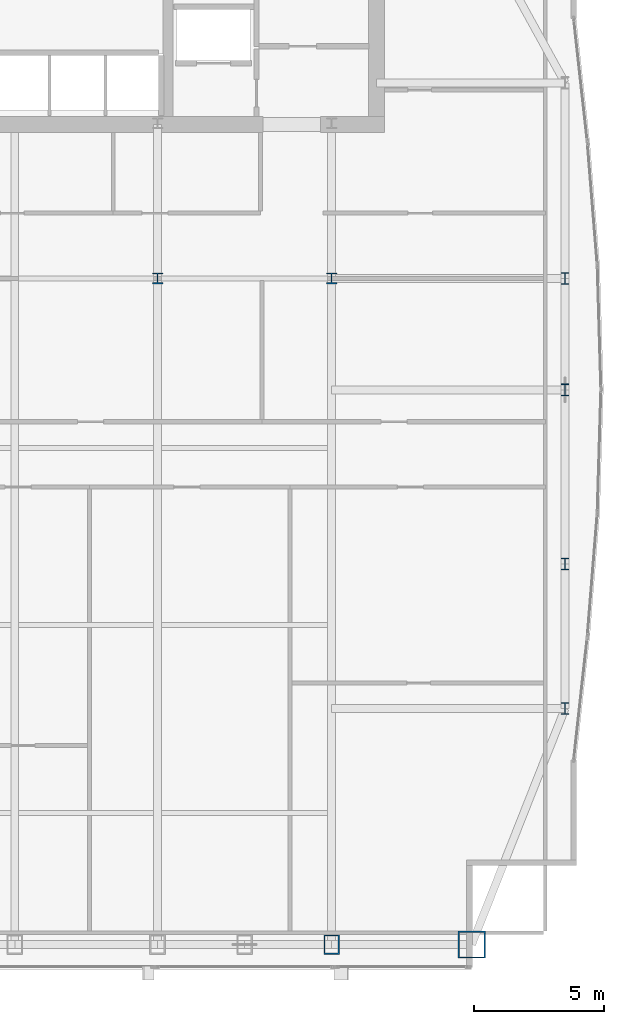
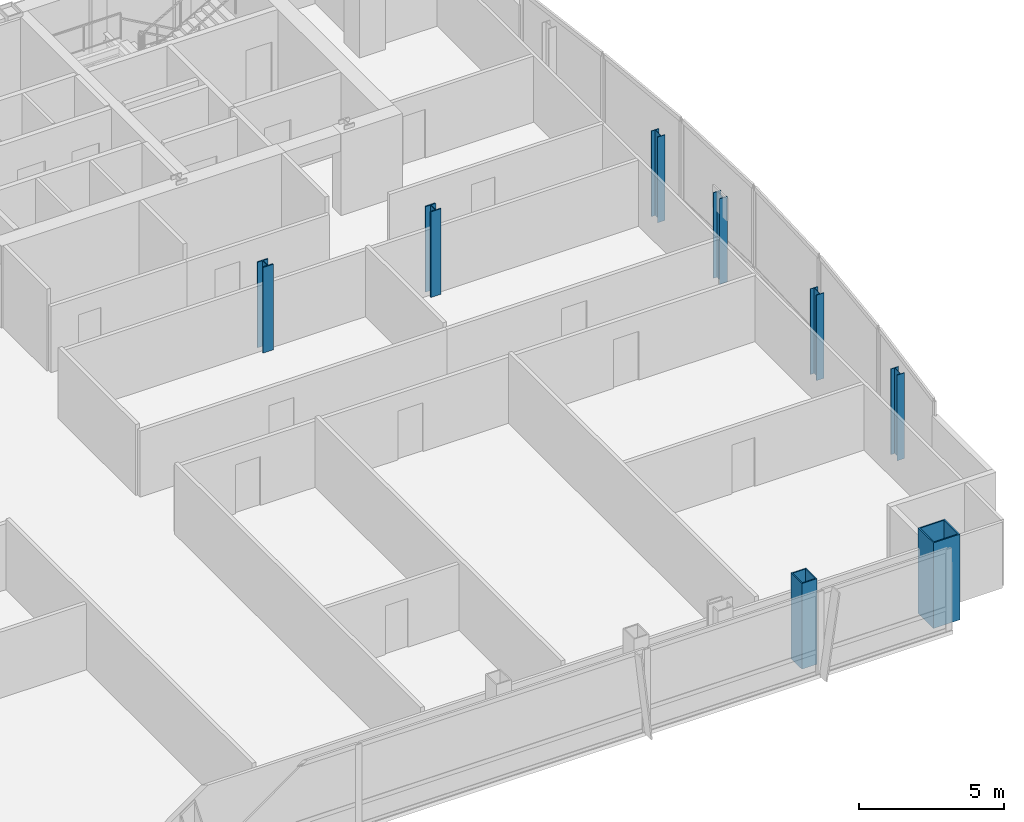
# One storey, part 2 of 29: 8 columns.
"""IFC4 building model written with IfcOpenShell, lengths in metres."""

from ifc_helpers import new_model, si_unit, direction, frame, origin, origin_2d, place, context, subcontext, project, spatial, hollow_rectangle, i_section, extrude, material, material_profile, profile_set, type_object, element, save


model = new_model("IFC4")

# Units and contexts
model_context = context("Model", 3, precision=1e-05, world=origin(), true_north=direction((0.0, 1.0)))
body_context = subcontext(model_context, "Body", "Model", "MODEL_VIEW")
ifc_project = project(units=[si_unit("LENGTHUNIT", "METRE"), si_unit("AREAUNIT", "SQUARE_METRE"), si_unit("VOLUMEUNIT", "CUBIC_METRE"), si_unit("PLANEANGLEUNIT", "RADIAN"), si_unit("MASSUNIT", "GRAM", prefix="KILO")], contexts=[model_context])

# Site, building, storey
site_placement = place(None, origin())
site = spatial("IfcSite", under=ifc_project, at=site_placement, CompositionType="ELEMENT")
building_placement = place(site_placement, origin())
building = spatial("IfcBuilding", under=site, at=building_placement, Name="Khoronbel Lancet Exchange", CompositionType="ELEMENT")
storey_placement = place(building_placement, frame((0.0, 0.0, 246.199951171875)))
storey = spatial("IfcBuildingStorey", under=building, at=storey_placement, Name="L63", CompositionType="ELEMENT", Elevation=246.199951171875)

# Columns
ifc_material_1 = material(Name="Steel S460", Category="steel")
ifc_material_profile_1 = material_profile(ifc_material_1, hollow_rectangle(XDim=0.60009765625, YDim=0.75, WallThickness=0.044921875, at=origin_2d()), Name="BOX 750x600x45")
ifc_profile_set_1 = profile_set([ifc_material_profile_1], Name="Steel S460")
column_type_1 = type_object("IfcColumnType", Name="COL-EC3", PredefinedType="COLUMN", material=ifc_profile_set_1)
column_1_placement = place(storey_placement, frame((54.675048828125, 10.14990234375, 0.0), z_axis=(0.0, 0.0, 1.0), x_axis=(1.0, 0.0, 0.0)))
element("IfcColumn", 1, at=column_1_placement, inside=storey, type_object=column_type_1, Name="Structural column SC-E2 L63", PredefinedType="COLUMN", context=body_context, shape_type="SweptSolid", body=[
    extrude(hollow_rectangle(XDim=0.60009765625, YDim=0.75, WallThickness=0.044921875, at=origin_2d()), origin(), (0.0, 0.0, 1.0), 3.60009765625),
])
ifc_material_2 = material(Name="Steel S355", Category="steel")
ifc_material_profile_2 = material_profile(ifc_material_2, i_section(OverallWidth=0.406005859375, OverallDepth=0.416015625, WebThickness=0.02978515625, FlangeThickness=0.048095703125, at=origin_2d()), Name="HD 400x382")
ifc_profile_set_2 = profile_set([ifc_material_profile_2], Name="Steel S355")
column_type_2 = type_object("IfcColumnType", Name="COL-IC3", PredefinedType="COLUMN", material=ifc_profile_set_2)
for number, where, z_axis, x_axis, name in (
    (2, (48.0, 35.699951171875, 0.0), (0.0, 0.0, 1.0), (1.0, 0.0, 0.0), "Spine gravity column TC3 L63"),
    (3, (54.675048828125, 35.699951171875, 0.0), (0.0, 0.0, 1.0), (1.0, 0.0, 0.0), "Spine gravity column TC4 L63"),
):
    element("IfcColumn", number, at=place(storey_placement, frame(where, z_axis=z_axis, x_axis=x_axis)), inside=storey, type_object=column_type_2, Name=name, PredefinedType="COLUMN", context=body_context, shape_type="SweptSolid", body=[
        extrude(i_section(OverallWidth=0.406005859375, OverallDepth=0.416015625, WebThickness=0.02978515625, FlangeThickness=0.048095703125, at=origin_2d()), origin(), (0.0, 0.0, 1.0), 3.60009765625),
    ])
ifc_material_profile_3 = material_profile(ifc_material_2, i_section(OverallWidth=0.300048828125, OverallDepth=0.449951171875, WebThickness=0.013916015625, FlangeThickness=0.02587890625, at=origin_2d()), Name="HEB 450")
ifc_profile_set_3 = profile_set([ifc_material_profile_3], Name="Steel S355")
column_type_3 = type_object("IfcColumnType", Name="COL-LC2", PredefinedType="COLUMN", material=ifc_profile_set_3)
for number, where, z_axis, x_axis, name in (
    (4, (63.6298828125, 19.199951171875, 0.0), (0.0, 0.0, 1.0), (1.0, 0.0, 0.0), "Structural column EC-1 L63"),
    (5, (63.6298828125, 24.75, 0.0), (0.0, 0.0, 1.0), (1.0, 0.0, 0.0), "Structural column EC-2 L63"),
    (6, (63.6298828125, 31.425048828125, 0.0), (0.0, 0.0, 1.0), (1.0, 0.0, 0.0), "Structural column EC-M L63"),
    (7, (63.6298828125, 35.699951171875, 0.0), (0.0, 0.0, 1.0), (1.0, 0.0, 0.0), "Structural column EC-3 L63"),
):
    element("IfcColumn", number, at=place(storey_placement, frame(where, z_axis=z_axis, x_axis=x_axis)), inside=storey, type_object=column_type_3, Name=name, PredefinedType="COLUMN", context=body_context, shape_type="SweptSolid", body=[
        extrude(i_section(OverallWidth=0.300048828125, OverallDepth=0.449951171875, WebThickness=0.013916015625, FlangeThickness=0.02587890625, at=origin_2d()), origin(), (0.0, 0.0, 1.0), 3.60009765625),
    ])
ifc_material_profile_4 = material_profile(ifc_material_1, hollow_rectangle(XDim=1.050048828125, YDim=1.050048828125, WallThickness=0.054931640625, at=origin_2d()), Name="BOX 1050x1050x55")
ifc_profile_set_4 = profile_set([ifc_material_profile_4], Name="Steel S460")
column_type_4 = type_object("IfcColumnType", Name="COL-MC6", PredefinedType="COLUMN", material=ifc_profile_set_4)
column_2_placement = place(storey_placement, frame((60.050048828125, 10.14990234375, 0.0), z_axis=(0.0, 0.0, 1.0), x_axis=(1.0, 0.0, 0.0)))
element("IfcColumn", 8, at=column_2_placement, inside=storey, type_object=column_type_4, Name="Structural column MC-SE L63", PredefinedType="COLUMN", context=body_context, shape_type="SweptSolid", body=[
    extrude(hollow_rectangle(XDim=1.050048828125, YDim=1.050048828125, WallThickness=0.054931640625, at=origin_2d()), origin(), (0.0, 0.0, 1.0), 3.60009765625),
])

save(model, "model.ifc")
